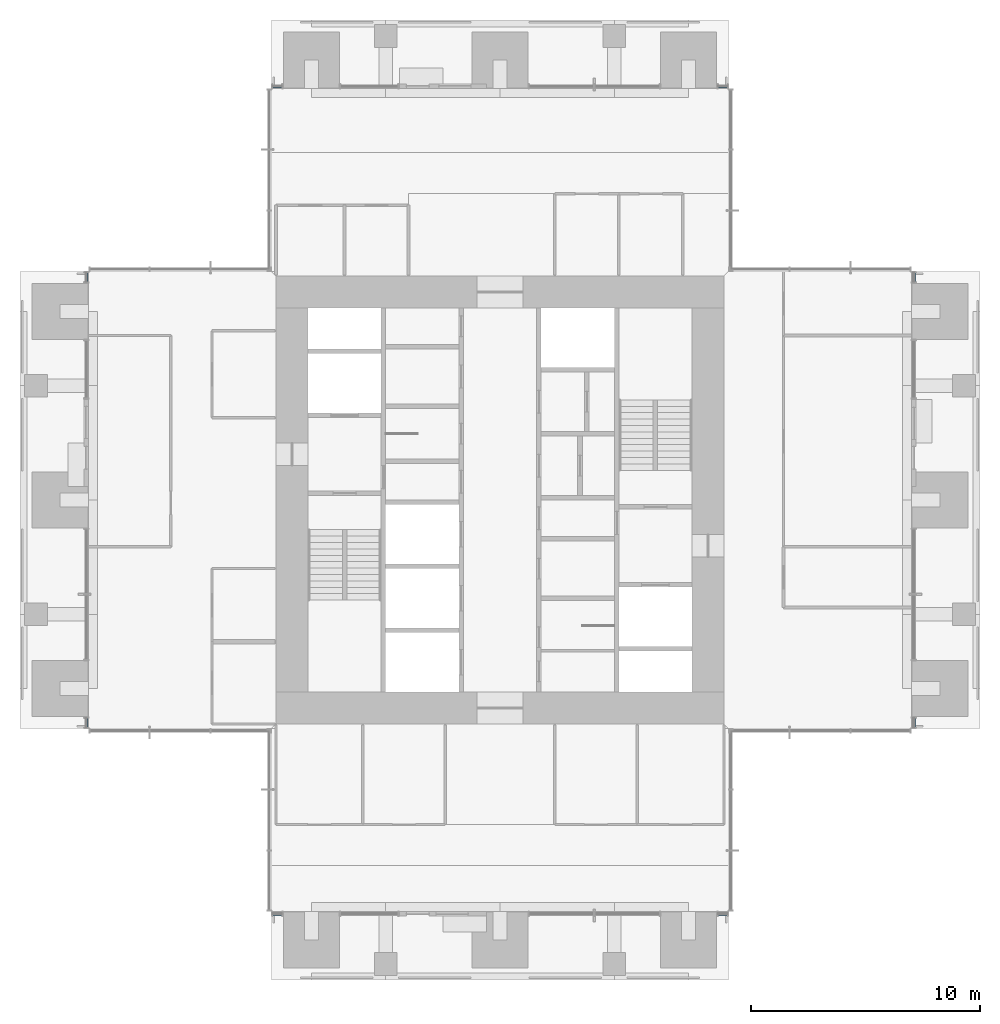
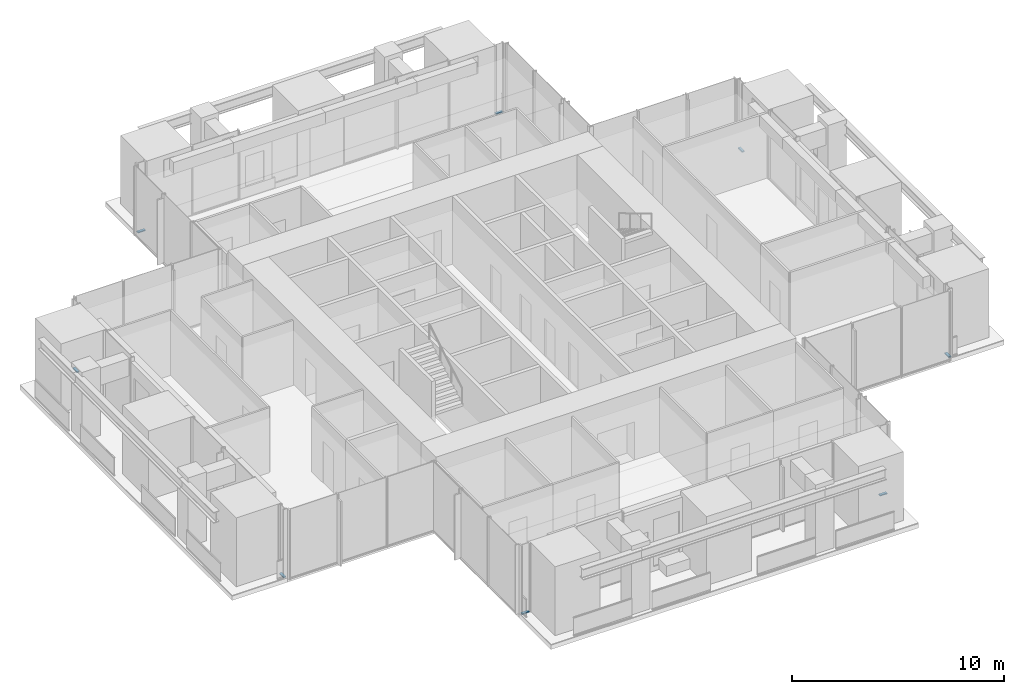
# One storey, part 6 of 17: 8 members, 8 elements without a shape of their own.
"""IFC4 building model written with IfcOpenShell, lengths in metres."""

from ifc_helpers import new_model, si_unit, direction, frame, origin, origin_2d, place, context, subcontext, project, spatial, rectangle, extrude, material, material_profile, profile_set, type_object, element, aggregate, save


model = new_model("IFC4")

# Units and contexts
model_context = context("Model", 3, precision=1e-05, world=origin(), true_north=direction((0.0, 1.0)))
body_context = subcontext(model_context, "Body", "Model", "MODEL_VIEW")
ifc_project = project(units=[si_unit("LENGTHUNIT", "METRE"), si_unit("AREAUNIT", "SQUARE_METRE"), si_unit("VOLUMEUNIT", "CUBIC_METRE"), si_unit("PLANEANGLEUNIT", "RADIAN"), si_unit("MASSUNIT", "GRAM", prefix="KILO")], contexts=[model_context])

# Site, building, storey
site_placement = place(None, origin())
site = spatial("IfcSite", under=ifc_project, at=site_placement, CompositionType="ELEMENT")
building_placement = place(site_placement, origin())
building = spatial("IfcBuilding", under=site, at=building_placement, Name="Svetlomir Tower", CompositionType="ELEMENT")
storey_placement = place(building_placement, frame((0.0, 0.0, 198.5)))
storey = spatial("IfcBuildingStorey", under=building, at=storey_placement, Name="L47", CompositionType="ELEMENT", Elevation=198.5)

# Curtain wall, member
ifc_material_1 = material(Name="Bronze anodised aluminium curtain wall", Category="aluminium")
curtain_wall_type = type_object("IfcCurtainWallType", Name="CURTAIN WALL CW1 TOWER OFFICE", PredefinedType="NOTDEFINED", material=ifc_material_1)
curtain_wall_1_placement = place(storey_placement, origin())
curtain_wall_1 = element("IfcCurtainWall", 1, at=curtain_wall_1_placement, inside=storey, type_object=curtain_wall_type, Name="Curtain wall CW1 L47", PredefinedType="NOTDEFINED")
ifc_material_2 = material(Name="Bronze anodised aluminium", Category="aluminium")
ifc_material_profile = material_profile(ifc_material_2, rectangle(XDim=0.139892578125, YDim=0.06494140625, at=origin_2d()), Name="AL 140x65")
ifc_profile_set = profile_set([ifc_material_profile], Name="Bronze anodised aluminium 6063-T6")
member_type = type_object("IfcMemberType", Name="CW1 TRANSOM 65x140", PredefinedType="USERDEFINED", material=ifc_profile_set)
member_1_placement = place(storey_placement, frame((11.06494140625, 2.89990234375, 0.032470703125), z_axis=(1.0, 0.0, 0.0), x_axis=(0.0, 1.0, 0.0)))
member_1 = element("IfcMember", 2, at=member_1_placement, type_object=member_type, Name="CW1 transom 1.1", ObjectType="TRANSOM", PredefinedType="USERDEFINED", context=body_context, shape_type="SweptSolid", body=[
    extrude(rectangle(XDim=0.139892578125, YDim=0.06494140625, at=origin_2d()), origin(), (0.0, 0.0, 1.0), 0.39501953125),
])
aggregate(curtain_wall_1, [member_1])

curtain_wall_2_placement = place(storey_placement, origin())
curtain_wall_2 = element("IfcCurtainWall", 3, at=curtain_wall_2_placement, inside=storey, type_object=curtain_wall_type, Name="Curtain wall CW1 L47", PredefinedType="NOTDEFINED")
member_2_placement = place(storey_placement, frame((30.5400390625, 2.89990234375, 0.032470703125), z_axis=(1.0, 0.0, 0.0), x_axis=(0.0, 1.0, 0.0)))
member_2 = element("IfcMember", 4, at=member_2_placement, type_object=member_type, Name="CW1 transom 1.1", ObjectType="TRANSOM", PredefinedType="USERDEFINED", context=body_context, shape_type="SweptSolid", body=[
    extrude(rectangle(XDim=0.139892578125, YDim=0.06494140625, at=origin_2d()), origin(), (0.0, 0.0, 1.0), 0.39501953125),
])
aggregate(curtain_wall_2, [member_2])

curtain_wall_3_placement = place(storey_placement, origin())
curtain_wall_3 = element("IfcCurtainWall", 5, at=curtain_wall_3_placement, inside=storey, type_object=curtain_wall_type, Name="Curtain wall CW1 L47", PredefinedType="NOTDEFINED")
member_3_placement = place(storey_placement, frame((39.10009765625, 11.06494140625, 0.032470703125), z_axis=(0.0, 1.0, 0.0), x_axis=(-1.0, 0.0, 0.0)))
member_3 = element("IfcMember", 6, at=member_3_placement, type_object=member_type, Name="CW1 transom 1.1", ObjectType="TRANSOM", PredefinedType="USERDEFINED", context=body_context, shape_type="SweptSolid", body=[
    extrude(rectangle(XDim=0.139892578125, YDim=0.06494140625, at=origin_2d()), origin(), (0.0, 0.0, 1.0), 0.39501953125),
])
aggregate(curtain_wall_3, [member_3])

curtain_wall_4_placement = place(storey_placement, origin())
curtain_wall_4 = element("IfcCurtainWall", 7, at=curtain_wall_4_placement, inside=storey, type_object=curtain_wall_type, Name="Curtain wall CW1 L47", PredefinedType="NOTDEFINED")
member_4_placement = place(storey_placement, frame((39.10009765625, 30.5400390625, 0.032470703125), z_axis=(0.0, 1.0, 0.0), x_axis=(-1.0, 0.0, 0.0)))
member_4 = element("IfcMember", 8, at=member_4_placement, type_object=member_type, Name="CW1 transom 1.1", ObjectType="TRANSOM", PredefinedType="USERDEFINED", context=body_context, shape_type="SweptSolid", body=[
    extrude(rectangle(XDim=0.139892578125, YDim=0.06494140625, at=origin_2d()), origin(), (0.0, 0.0, 1.0), 0.39501953125),
])
aggregate(curtain_wall_4, [member_4])

curtain_wall_5_placement = place(storey_placement, origin())
curtain_wall_5 = element("IfcCurtainWall", 9, at=curtain_wall_5_placement, inside=storey, type_object=curtain_wall_type, Name="Curtain wall CW1 L47", PredefinedType="NOTDEFINED")
member_5_placement = place(storey_placement, frame((30.93505859375, 39.10009765625, 0.032470703125), z_axis=(-1.0, 0.0, 0.0), x_axis=(0.0, -1.0, 0.0)))
member_5 = element("IfcMember", 10, at=member_5_placement, type_object=member_type, Name="CW1 transom 1.1", ObjectType="TRANSOM", PredefinedType="USERDEFINED", context=body_context, shape_type="SweptSolid", body=[
    extrude(rectangle(XDim=0.139892578125, YDim=0.06494140625, at=origin_2d()), origin(), (0.0, 0.0, 1.0), 0.39501953125),
])
aggregate(curtain_wall_5, [member_5])

curtain_wall_6_placement = place(storey_placement, origin())
curtain_wall_6 = element("IfcCurtainWall", 11, at=curtain_wall_6_placement, inside=storey, type_object=curtain_wall_type, Name="Curtain wall CW1 L47", PredefinedType="NOTDEFINED")
member_6_placement = place(storey_placement, frame((11.4599609375, 39.10009765625, 0.032470703125), z_axis=(-1.0, 0.0, 0.0), x_axis=(0.0, -1.0, 0.0)))
member_6 = element("IfcMember", 12, at=member_6_placement, type_object=member_type, Name="CW1 transom 1.1", ObjectType="TRANSOM", PredefinedType="USERDEFINED", context=body_context, shape_type="SweptSolid", body=[
    extrude(rectangle(XDim=0.139892578125, YDim=0.06494140625, at=origin_2d()), origin(), (0.0, 0.0, 1.0), 0.39501953125),
])
aggregate(curtain_wall_6, [member_6])

curtain_wall_7_placement = place(storey_placement, origin())
curtain_wall_7 = element("IfcCurtainWall", 13, at=curtain_wall_7_placement, inside=storey, type_object=curtain_wall_type, Name="Curtain wall CW1 L47", PredefinedType="NOTDEFINED")
member_7_placement = place(storey_placement, frame((2.89990234375, 30.93505859375, 0.032470703125), z_axis=(0.0, -1.0, 0.0), x_axis=(1.0, 0.0, 0.0)))
member_7 = element("IfcMember", 14, at=member_7_placement, type_object=member_type, Name="CW1 transom 1.1", ObjectType="TRANSOM", PredefinedType="USERDEFINED", context=body_context, shape_type="SweptSolid", body=[
    extrude(rectangle(XDim=0.139892578125, YDim=0.06494140625, at=origin_2d()), origin(), (0.0, 0.0, 1.0), 0.39501953125),
])
aggregate(curtain_wall_7, [member_7])

curtain_wall_8_placement = place(storey_placement, origin())
curtain_wall_8 = element("IfcCurtainWall", 15, at=curtain_wall_8_placement, inside=storey, type_object=curtain_wall_type, Name="Curtain wall CW1 L47", PredefinedType="NOTDEFINED")
member_8_placement = place(storey_placement, frame((2.89990234375, 11.4599609375, 0.032470703125), z_axis=(0.0, -1.0, 0.0), x_axis=(1.0, 0.0, 0.0)))
member_8 = element("IfcMember", 16, at=member_8_placement, type_object=member_type, Name="CW1 transom 1.1", ObjectType="TRANSOM", PredefinedType="USERDEFINED", context=body_context, shape_type="SweptSolid", body=[
    extrude(rectangle(XDim=0.139892578125, YDim=0.06494140625, at=origin_2d()), origin(), (0.0, 0.0, 1.0), 0.39501953125),
])
aggregate(curtain_wall_8, [member_8])

save(model, "model.ifc")
